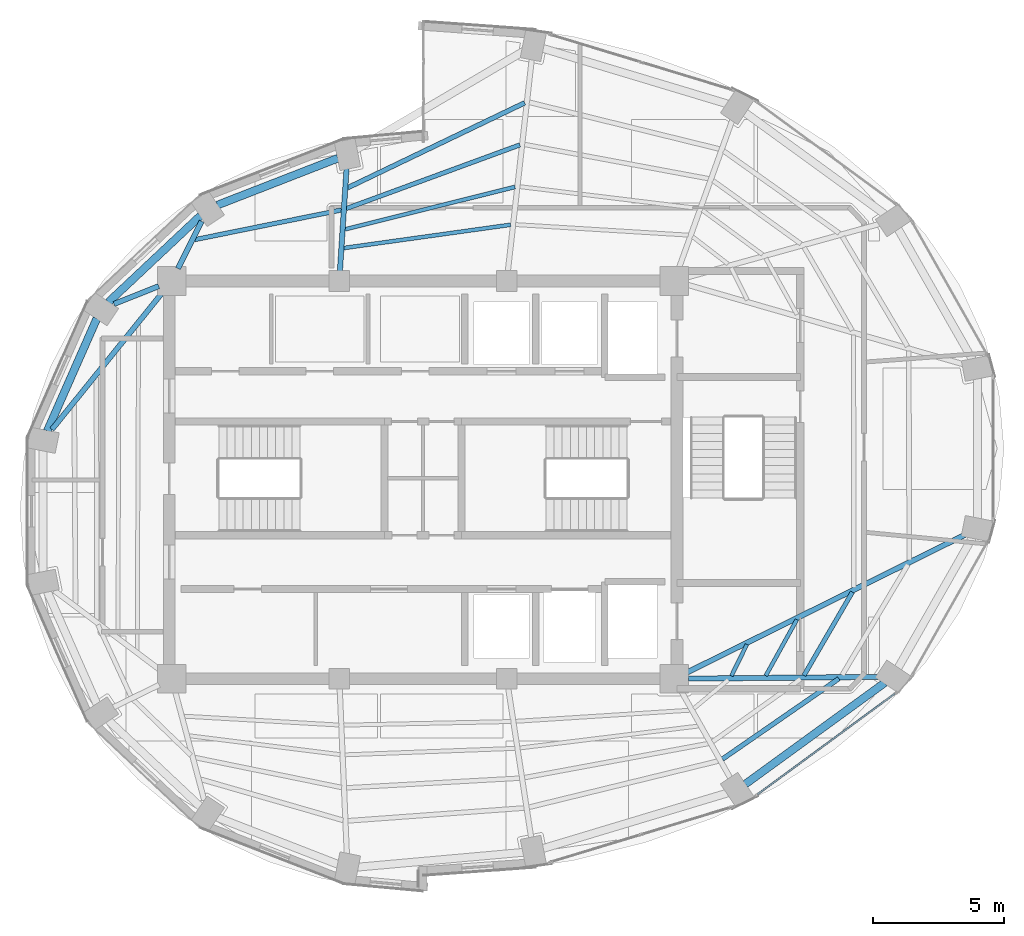
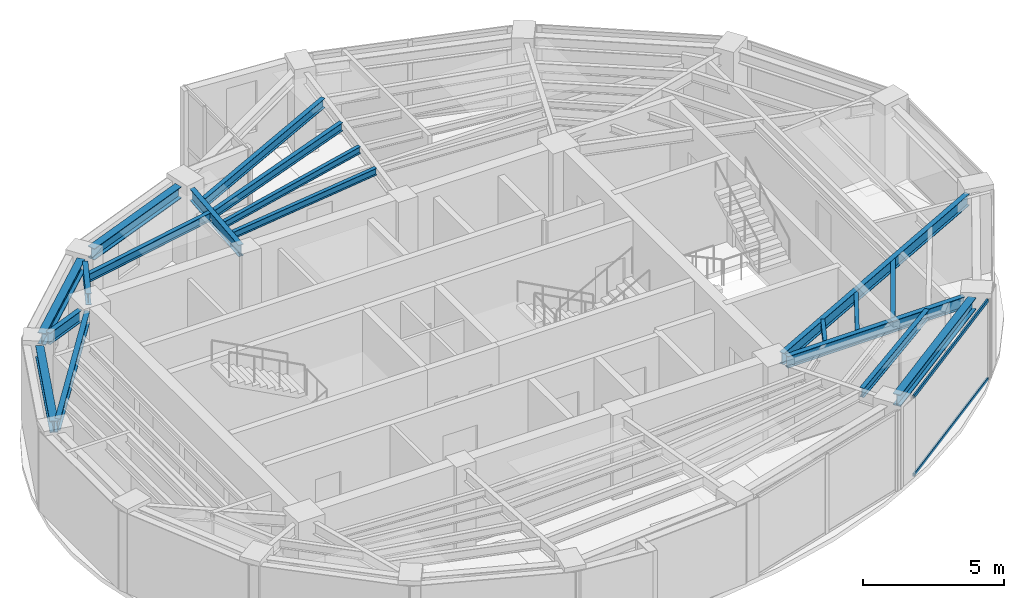
# One storey, part 3 of 15: 19 beams, 2 members, 1 element without a shape of its own.
"""IFC4 building model written with IfcOpenShell, lengths in metres."""

from ifc_helpers import new_model, si_unit, direction, frame, origin, origin_2d, place, context, subcontext, project, spatial, hollow_rectangle, i_section, extrude, material, layer, layer_set, material_profile, profile_set, type_object, element, aggregate, save


model = new_model("IFC4")

# Units and contexts
model_context = context("Model", 3, precision=1e-05, world=origin(), true_north=direction((0.0, 1.0)))
body_context = subcontext(model_context, "Body", "Model", "MODEL_VIEW")
ifc_project = project(units=[si_unit("LENGTHUNIT", "METRE"), si_unit("AREAUNIT", "SQUARE_METRE"), si_unit("VOLUMEUNIT", "CUBIC_METRE"), si_unit("PLANEANGLEUNIT", "RADIAN"), si_unit("MASSUNIT", "GRAM", prefix="KILO")], contexts=[model_context])

# Site, building, storey
site_placement = place(None, origin())
site = spatial("IfcSite", under=ifc_project, at=site_placement, CompositionType="ELEMENT")
building_placement = place(site_placement, origin())
building = spatial("IfcBuilding", under=site, at=building_placement, Name="Lazwardi Medical Tower", CompositionType="ELEMENT")
storey_placement = place(building_placement, frame((0.0, 0.0, 280.56005859375)))
storey = spatial("IfcBuildingStorey", under=building, at=storey_placement, Name="L73", CompositionType="ELEMENT", Elevation=280.56005859375)

# Beams
ifc_material_1 = material(Name="Steel S355", Category="steel")
ifc_material_profile_1 = material_profile(ifc_material_1, i_section(OverallWidth=0.300048828125, OverallDepth=0.5, WebThickness=0.014404296875, FlangeThickness=0.028076171875, at=origin_2d()), Name="HEB 500")
ifc_profile_set_1 = profile_set([ifc_material_profile_1], Name="Steel S355")
beam_type_1 = type_object("IfcBeamType", Name="BM-RB-Z4", PredefinedType="BEAM", material=ifc_profile_set_1)
beam_1_placement = place(storey_placement, frame((48.31591796875, 16.375244140625, 3.197998046875), z_axis=(0.808889916254, 0.587960120571, 0.0), x_axis=(-0.587960120571, 0.808889916254, 0.0)))
element("IfcBeam", 1, at=beam_1_placement, inside=storey, type_object=beam_type_1, Name="Ring beam RB-05 B02 L73", PredefinedType="BEAM", context=body_context, shape_type="SweptSolid", body=[
    extrude(i_section(OverallWidth=0.300048828125, OverallDepth=0.5, WebThickness=0.014404296875, FlangeThickness=0.028076171875, at=origin_2d()), origin(), (0.0, 0.0, 1.0), 6.587158203125),
])
beam_2_placement = place(storey_placement, frame((32.749267578125, 40.29150390625, 3.197998046875), z_axis=(-0.931959260109, -0.362563011761, 0.0), x_axis=(0.362563011761, -0.931959260109, 0.0)))
element("IfcBeam", 2, at=beam_2_placement, inside=storey, type_object=beam_type_1, Name="Ring beam RB-05 B09 L73", PredefinedType="BEAM", context=body_context, shape_type="SweptSolid", body=[
    extrude(i_section(OverallWidth=0.300048828125, OverallDepth=0.5, WebThickness=0.014404296875, FlangeThickness=0.028076171875, at=origin_2d()), origin(), (0.0, 0.0, 1.0), 4.944580078125),
])
beam_3_placement = place(storey_placement, frame((27.493408203125, 38.09033203125, 3.197998046875), z_axis=(-0.728935349177, -0.684582541934, 0.0), x_axis=(0.684582541934, -0.728935349177, 0.0)))
element("IfcBeam", 3, at=beam_3_placement, inside=storey, type_object=beam_type_1, Name="Ring beam RB-05 B10 L73", PredefinedType="BEAM", context=body_context, shape_type="SweptSolid", body=[
    extrude(i_section(OverallWidth=0.300048828125, OverallDepth=0.5, WebThickness=0.014404296875, FlangeThickness=0.028076171875, at=origin_2d()), origin(), (0.0, 0.0, 1.0), 4.822021484375),
])
beam_4_placement = place(storey_placement, frame((23.536865234375, 34.16552734375, 3.197998046875), z_axis=(-0.403522451548, -0.914969743268, 0.0), x_axis=(0.914969743268, -0.403522451548, 0.0)))
element("IfcBeam", 4, at=beam_4_placement, inside=storey, type_object=beam_type_1, Name="Ring beam RB-05 B11 L73", PredefinedType="BEAM", context=body_context, shape_type="SweptSolid", body=[
    extrude(i_section(OverallWidth=0.300048828125, OverallDepth=0.5, WebThickness=0.014404296875, FlangeThickness=0.028076171875, at=origin_2d()), origin(), (0.0, 0.0, 1.0), 4.6962890625),
])
ifc_material_profile_2 = material_profile(ifc_material_1, i_section(OverallWidth=0.199951171875, OverallDepth=0.5, WebThickness=0.01025390625, FlangeThickness=0.01611328125, at=origin_2d()), Name="IPE 500")
ifc_profile_set_2 = profile_set([ifc_material_profile_2], Name="Steel S355")
beam_type_2 = type_object("IfcBeamType", Name="BM-RG-W3", PredefinedType="BEAM", material=ifc_profile_set_2)
beam_5_placement = place(storey_placement, frame((53.4248046875, 20.472412109375, 3.197998046875), z_axis=(-0.999957282107, -0.009243049327, 0.0), x_axis=(0.009243049327, -0.999957282107, 0.0)))
element("IfcBeam", 5, at=beam_5_placement, inside=storey, type_object=beam_type_2, Name="Radial girder RG-04 R03 L73", PredefinedType="BEAM", context=body_context, shape_type="SweptSolid", body=[
    extrude(i_section(OverallWidth=0.199951171875, OverallDepth=0.5, WebThickness=0.01025390625, FlangeThickness=0.01611328125, at=origin_2d()), origin(), (0.0, 0.0, 1.0), 7.2900390625),
])
beam_6_placement = place(storey_placement, frame((56.70556640625, 25.899658203125, 3.197998046875), z_axis=(-0.896137723356, -0.443776048, 0.0), x_axis=(0.443776048, -0.896137723356, 0.0)))
element("IfcBeam", 6, at=beam_6_placement, inside=storey, type_object=beam_type_2, Name="Radial girder RG-04 R04 L73", PredefinedType="BEAM", context=body_context, shape_type="SweptSolid", body=[
    extrude(i_section(OverallWidth=0.199951171875, OverallDepth=0.5, WebThickness=0.01025390625, FlangeThickness=0.01611328125, at=origin_2d()), origin(), (0.0, 0.0, 1.0), 11.85791015625),
])
beam_7_placement = place(storey_placement, frame((33.078125, 39.89892578125, 3.197998046875), z_axis=(-0.064536216654, -0.99791536552, 0.0), x_axis=(0.99791536552, -0.064536216654, 0.0)))
element("IfcBeam", 7, at=beam_7_placement, inside=storey, type_object=beam_type_2, Name="Radial girder RG-04 R09 L73", PredefinedType="BEAM", context=body_context, shape_type="SweptSolid", body=[
    extrude(i_section(OverallWidth=0.199951171875, OverallDepth=0.5, WebThickness=0.01025390625, FlangeThickness=0.01611328125, at=origin_2d()), origin(), (0.0, 0.0, 1.0), 3.9228515625),
])
beam_8_placement = place(storey_placement, frame((27.53857421875, 37.87890625, 3.197998046875), z_axis=(-0.446922417137, -0.894572720946, 0.0), x_axis=(0.894572720946, -0.446922417137, 0.0)))
element("IfcBeam", 8, at=beam_8_placement, inside=storey, type_object=beam_type_2, Name="Radial girder RG-04 R10 L73", PredefinedType="BEAM", context=body_context, shape_type="SweptSolid", body=[
    extrude(i_section(OverallWidth=0.199951171875, OverallDepth=0.5, WebThickness=0.01025390625, FlangeThickness=0.01611328125, at=origin_2d()), origin(), (0.0, 0.0, 1.0), 2.012451171875),
])
beam_9_placement = place(storey_placement, frame((24.191162109375, 34.72021484375, 3.197998046875), z_axis=(0.929014807026, 0.370042549347, 0.0), x_axis=(-0.370042549347, 0.929014807026, 0.0)))
element("IfcBeam", 9, at=beam_9_placement, inside=storey, type_object=beam_type_2, Name="Radial girder RG-04 R11 L73", PredefinedType="BEAM", context=body_context, shape_type="SweptSolid", body=[
    extrude(i_section(OverallWidth=0.199951171875, OverallDepth=0.5, WebThickness=0.01025390625, FlangeThickness=0.01611328125, at=origin_2d()), origin(), (0.0, 0.0, 1.0), 1.8427734375),
])
beam_10_placement = place(storey_placement, frame((21.820556640625, 29.927978515625, 3.197998046875), z_axis=(0.62820165026, 0.778050568158, 0.0), x_axis=(-0.778050568158, 0.62820165026, 0.0)))
element("IfcBeam", 10, at=beam_10_placement, inside=storey, type_object=beam_type_2, Name="Radial girder RG-04 R12 L73", PredefinedType="BEAM", context=body_context, shape_type="SweptSolid", body=[
    extrude(i_section(OverallWidth=0.199951171875, OverallDepth=0.5, WebThickness=0.01025390625, FlangeThickness=0.01611328125, at=origin_2d()), origin(), (0.0, 0.0, 1.0), 6.7548828125),
])
ifc_material_profile_3 = material_profile(ifc_material_1, i_section(OverallWidth=0.179931640625, OverallDepth=0.39990234375, WebThickness=0.008544921875, FlangeThickness=0.013427734375, at=origin_2d()), Name="IPE 400")
ifc_profile_set_3 = profile_set([ifc_material_profile_3], Name="Steel S355")
beam_type_3 = type_object("IfcBeamType", Name="BM-SJ-01", PredefinedType="JOIST", material=ifc_profile_set_3)
beam_11_placement = place(storey_placement, frame((47.440673828125, 17.330322265625, 3.248046875), z_axis=(0.822596712765, 0.568625226443, 0.0), x_axis=(-0.568625226443, 0.822596712765, 0.0)))
element("IfcBeam", 11, at=beam_11_placement, inside=storey, type_object=beam_type_3, Name="Secondary joist SJ-01 R1 B02 L73", PredefinedType="JOIST", context=body_context, shape_type="SweptSolid", body=[
    extrude(i_section(OverallWidth=0.179931640625, OverallDepth=0.39990234375, WebThickness=0.008544921875, FlangeThickness=0.013427734375, at=origin_2d()), origin(), (0.0, 0.0, 1.0), 5.4072265625),
])
beam_12_placement = place(storey_placement, frame((39.88623046875, 42.40869140625, 3.248046875), z_axis=(-0.901499730142, -0.432779662823, 0.0), x_axis=(0.432779662823, -0.901499730142, 0.0)))
element("IfcBeam", 12, at=beam_12_placement, inside=storey, type_object=beam_type_3, Name="Secondary joist SJ-01 R1 B08 L73", PredefinedType="JOIST", context=body_context, shape_type="SweptSolid", body=[
    extrude(i_section(OverallWidth=0.179931640625, OverallDepth=0.39990234375, WebThickness=0.008544921875, FlangeThickness=0.013427734375, at=origin_2d()), origin(), (0.0, 0.0, 1.0), 7.512939453125),
])
ifc_material_profile_4 = material_profile(ifc_material_1, i_section(OverallWidth=0.169921875, OverallDepth=0.360107421875, WebThickness=0.008056640625, FlangeThickness=0.0126953125, at=origin_2d()), Name="IPE 360")
ifc_profile_set_4 = profile_set([ifc_material_profile_4], Name="Steel S355")
beam_type_4 = type_object("IfcBeamType", Name="BM-SJ-02", PredefinedType="JOIST", material=ifc_profile_set_4)
beam_13_placement = place(storey_placement, frame((50.556640625, 20.527587890625, 3.267822265625), z_axis=(0.502428077017, 0.864619007092, 0.0), x_axis=(-0.864619007092, 0.502428077017, 0.0)))
element("IfcBeam", 13, at=beam_13_placement, inside=storey, type_object=beam_type_4, Name="Secondary joist SJ-02 R2 B03 L73", PredefinedType="JOIST", context=body_context, shape_type="SweptSolid", body=[
    extrude(i_section(OverallWidth=0.169921875, OverallDepth=0.360107421875, WebThickness=0.008056640625, FlangeThickness=0.0126953125, at=origin_2d()), origin(), (0.0, 0.0, 1.0), 3.683837890625),
])
beam_14_placement = place(storey_placement, frame((39.700439453125, 40.80029296875, 3.267822265625), z_axis=(-0.938784720842, -0.34450435108, 0.0), x_axis=(0.34450435108, -0.938784720842, 0.0)))
element("IfcBeam", 14, at=beam_14_placement, inside=storey, type_object=beam_type_4, Name="Secondary joist SJ-02 R2 B08 L73", PredefinedType="JOIST", context=body_context, shape_type="SweptSolid", body=[
    extrude(i_section(OverallWidth=0.169921875, OverallDepth=0.360107421875, WebThickness=0.008056640625, FlangeThickness=0.0126953125, at=origin_2d()), origin(), (0.0, 0.0, 1.0), 7.06689453125),
])
beam_15_placement = place(storey_placement, frame((32.8837890625, 38.314208984375, 3.267822265625), z_axis=(-0.980097246244, -0.198517978793, 0.0), x_axis=(0.198517978793, -0.980097246244, 0.0)))
element("IfcBeam", 15, at=beam_15_placement, inside=storey, type_object=beam_type_4, Name="Secondary joist SJ-02 R2 B09 L73", PredefinedType="JOIST", context=body_context, shape_type="SweptSolid", body=[
    extrude(i_section(OverallWidth=0.169921875, OverallDepth=0.360107421875, WebThickness=0.008056640625, FlangeThickness=0.0126953125, at=origin_2d()), origin(), (0.0, 0.0, 1.0), 5.72607421875),
])
ifc_material_profile_5 = material_profile(ifc_material_1, i_section(OverallWidth=0.14990234375, OverallDepth=0.300048828125, WebThickness=0.007080078125, FlangeThickness=0.0107421875, at=origin_2d()), Name="IPE 300")
ifc_profile_set_5 = profile_set([ifc_material_profile_5], Name="Steel S355")
beam_type_5 = type_object("IfcBeamType", Name="BM-SJ-03", PredefinedType="JOIST", material=ifc_profile_set_5)
beam_16_placement = place(storey_placement, frame((49.096923828125, 20.51513671875, 3.2978515625), z_axis=(0.484356732643, 0.874870593598, 0.0), x_axis=(-0.874870593598, 0.484356732643, 0.0)))
element("IfcBeam", 16, at=beam_16_placement, inside=storey, type_object=beam_type_5, Name="Secondary joist SJ-03 R3 B03 L73", PredefinedType="JOIST", context=body_context, shape_type="SweptSolid", body=[
    extrude(i_section(OverallWidth=0.14990234375, OverallDepth=0.300048828125, WebThickness=0.007080078125, FlangeThickness=0.0107421875, at=origin_2d()), origin(), (0.0, 0.0, 1.0), 2.45068359375),
])
beam_17_placement = place(storey_placement, frame((39.515380859375, 39.193359375, 3.2978515625), z_axis=(-0.970279606817, -0.241986538045, 0.0), x_axis=(0.241986538045, -0.970279606817, 0.0)))
element("IfcBeam", 17, at=beam_17_placement, inside=storey, type_object=beam_type_5, Name="Secondary joist SJ-03 R3 B08 L73", PredefinedType="JOIST", context=body_context, shape_type="SweptSolid", body=[
    extrude(i_section(OverallWidth=0.14990234375, OverallDepth=0.300048828125, WebThickness=0.007080078125, FlangeThickness=0.0107421875, at=origin_2d()), origin(), (0.0, 0.0, 1.0), 6.696044921875),
])
beam_18_placement = place(storey_placement, frame((47.78076171875, 20.5048828125, 3.2978515625), z_axis=(0.442264453687, 0.896884693261, 0.0), x_axis=(-0.896884693261, 0.442264453687, 0.0)))
element("IfcBeam", 18, at=beam_18_placement, inside=storey, type_object=beam_type_5, Name="Secondary joist SJ-03 R4 B03 L73", PredefinedType="JOIST", context=body_context, shape_type="SweptSolid", body=[
    extrude(i_section(OverallWidth=0.14990234375, OverallDepth=0.300048828125, WebThickness=0.007080078125, FlangeThickness=0.0107421875, at=origin_2d()), origin(), (0.0, 0.0, 1.0), 1.343505859375),
])
beam_19_placement = place(storey_placement, frame((39.349365234375, 37.748046875, 3.2978515625), z_axis=(-0.990406947737, -0.138181322454, 0.0), x_axis=(0.138181322454, -0.990406947737, 0.0)))
element("IfcBeam", 19, at=beam_19_placement, inside=storey, type_object=beam_type_5, Name="Secondary joist SJ-03 R4 B08 L73", PredefinedType="JOIST", context=body_context, shape_type="SweptSolid", body=[
    extrude(i_section(OverallWidth=0.14990234375, OverallDepth=0.300048828125, WebThickness=0.007080078125, FlangeThickness=0.0107421875, at=origin_2d()), origin(), (0.0, 0.0, 1.0), 6.4365234375),
])

# Curtain wall, members
ifc_material_2 = material(Name="Anodised bronze aluminium and solar control glazing", Category="aluminium")
ifc_layer = layer(ifc_material_2, 0.18994140625)
ifc_layer_set = layer_set([ifc_layer], Name="Anodised bronze aluminium and solar control glazing")
curtain_wall_type = type_object("IfcCurtainWallType", Name="CW-SYS-04", PredefinedType="NOTDEFINED", material=ifc_layer_set)
curtain_wall_placement = place(storey_placement, origin())
curtain_wall = element("IfcCurtainWall", 20, at=curtain_wall_placement, inside=storey, type_object=curtain_wall_type, Name="L73 Unitised bronze curtain wall CW-04", PredefinedType="NOTDEFINED")
ifc_material_3 = material(Name="Anodised bronze aluminium", Category="aluminium")
ifc_material_profile_6 = material_profile(ifc_material_3, hollow_rectangle(XDim=0.06494140625, YDim=0.139892578125, WallThickness=0.00341796875, at=origin_2d()), Name="ALU-TRANSOM 140x65x3.5")
ifc_profile_set_6 = profile_set([ifc_material_profile_6], Name="Anodised bronze aluminium")
member_type = type_object("IfcMemberType", Name="CW-TRN-03", PredefinedType="USERDEFINED", material=ifc_profile_set_6)
member_1_placement = place(storey_placement, frame((48.781494140625, 15.984375, 0.032470703125), z_axis=(0.80648973359, 0.591248094808, 0.0), x_axis=(-0.591248094808, 0.80648973359, 0.0)))
member_1 = element("IfcMember", 21, at=member_1_placement, type_object=member_type, Name="CW-04 transom 1.1", ObjectType="TRANSOM", PredefinedType="USERDEFINED", context=body_context, shape_type="SweptSolid", body=[
    extrude(hollow_rectangle(XDim=0.06494140625, YDim=0.139892578125, WallThickness=0.00341796875, at=origin_2d()), origin(), (0.0, 0.0, 1.0), 6.502685546875),
])
member_2_placement = place(storey_placement, frame((48.781494140625, 15.984375, 3.41552734375), z_axis=(0.80648973359, 0.591248094808, 0.0), x_axis=(-0.591248094808, 0.80648973359, 0.0)))
member_2 = element("IfcMember", 22, at=member_2_placement, type_object=member_type, Name="CW-04 transom 1.2", ObjectType="TRANSOM", PredefinedType="USERDEFINED", context=body_context, shape_type="SweptSolid", body=[
    extrude(hollow_rectangle(XDim=0.06494140625, YDim=0.139892578125, WallThickness=0.00341796875, at=origin_2d()), origin(), (0.0, 0.0, 1.0), 6.502685546875),
])
aggregate(curtain_wall, [member_1, member_2])

save(model, "model.ifc")
